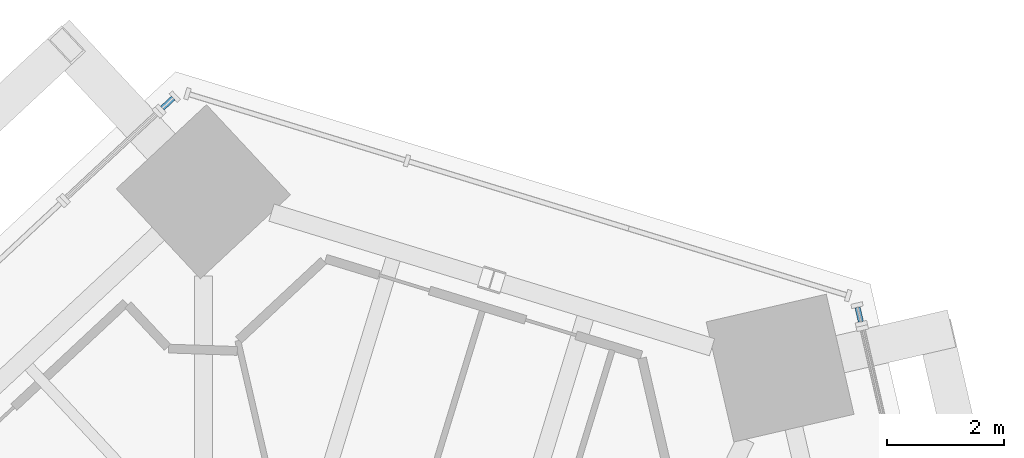
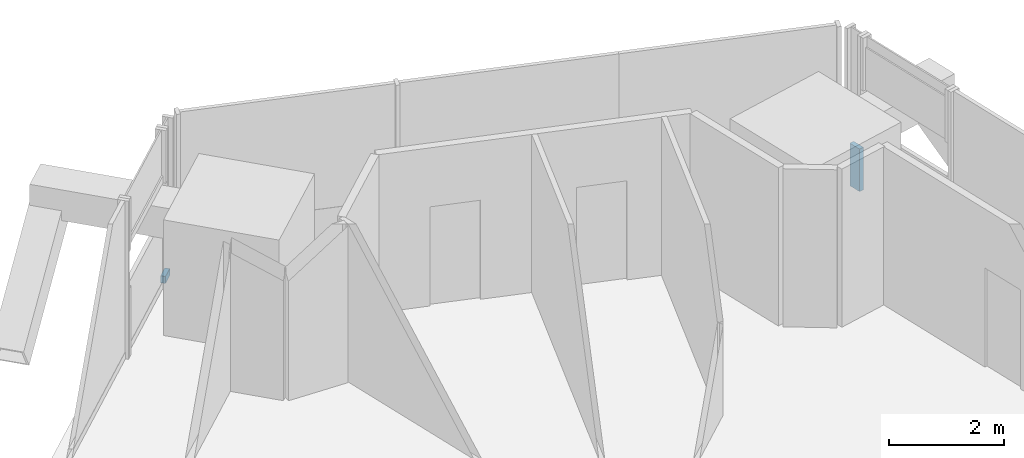
# One storey, part 12 of 25: 2 members, 2 elements without a shape of their own.
"""IFC4 building model written with IfcOpenShell, lengths in metres."""

from ifc_helpers import new_model, si_unit, direction, frame, origin, origin_2d, place, context, subcontext, project, spatial, rectangle, extrude, source, transform, mapped, material, material_profile, profile_set, type_object, element, aggregate, save


model = new_model("IFC4")

# Units and contexts
model_context = context("Model", 3, precision=1e-05, world=origin(), true_north=direction((0.0, 1.0)))
body_context = subcontext(model_context, "Body", "Model", "MODEL_VIEW")
ifc_project = project(units=[si_unit("LENGTHUNIT", "METRE"), si_unit("AREAUNIT", "SQUARE_METRE"), si_unit("VOLUMEUNIT", "CUBIC_METRE"), si_unit("PLANEANGLEUNIT", "RADIAN"), si_unit("MASSUNIT", "GRAM", prefix="KILO")], contexts=[model_context])

# Site, building, storey
site_placement = place(None, origin())
site = spatial("IfcSite", under=ifc_project, at=site_placement, CompositionType="ELEMENT")
building_placement = place(site_placement, origin())
building = spatial("IfcBuilding", under=site, at=building_placement, Name="Triune Harvest Tower", CompositionType="ELEMENT")
storey_placement = place(building_placement, frame((0.0, 0.0, 130.699951171875)))
storey = spatial("IfcBuildingStorey", under=building, at=storey_placement, Name="L33", CompositionType="ELEMENT", Elevation=130.699951171875)

# Curtain wall, member
ifc_material_1 = material(Name="Aluminium bronze anodised", Category="aluminium")
curtain_wall_type_1 = type_object("IfcCurtainWallType", Name="CW-6 Balcony window wall", PredefinedType="NOTDEFINED", material=ifc_material_1)
curtain_wall_1_placement = place(storey_placement, origin())
curtain_wall_1 = element("IfcCurtainWall", 1, at=curtain_wall_1_placement, inside=storey, type_object=curtain_wall_type_1, Name="CW-6 B3-F3 L33 run 1")
ifc_material_2 = material(Name="Aluminium bronze anodised", Category="aluminium")
ifc_material_profile_1 = material_profile(ifc_material_2, rectangle(XDim=0.090087890625, YDim=0.14990234375, at=origin_2d()), Name="TR-6 transom 90 x 150")
ifc_profile_set_1 = profile_set([ifc_material_profile_1], Name="Aluminium bronze anodised")
member_type_1 = type_object("IfcMemberType", Name="TR-6 transom 90 x 150", PredefinedType="USERDEFINED", material=ifc_profile_set_1)
member_1_placement = place(storey_placement, frame((3.9619140625, 33.808837890625, 0.074951171875), z_axis=(-0.731410005797, -0.681937976227, 0.0), x_axis=(0.681937976227, -0.731410005797, 0.0)))
member_1 = element("IfcMember", 2, at=member_1_placement, type_object=member_type_1, Name="CW-6 transom B3-F3 1.1", ObjectType="TRANSOM", PredefinedType="USERDEFINED", context=body_context, shape_type="SweptSolid", body=[
    extrude(rectangle(XDim=0.090087890625, YDim=0.14990234375, at=origin_2d()), origin(), (0.0, 0.0, 1.0), 0.251708984375),
])
aggregate(curtain_wall_1, [member_1])

ifc_material_3 = material(Name="Aluminium bronze anodised", Category="aluminium")
curtain_wall_type_2 = type_object("IfcCurtainWallType", Name="CW-1 Tower stick curtain wall", PredefinedType="NOTDEFINED", material=ifc_material_3)
curtain_wall_2_placement = place(storey_placement, origin())
curtain_wall_2 = element("IfcCurtainWall", 3, at=curtain_wall_2_placement, inside=storey, type_object=curtain_wall_type_2, Name="CW-1 B3-F1 L33 run 501")
ifc_material_4 = material(Name="Aluminium bronze anodised", Category="aluminium")
ifc_material_profile_2 = material_profile(ifc_material_4, rectangle(XDim=0.090087890625, YDim=0.89990234375, at=origin_2d()), Name="TR-1 transom 90 x 900")
ifc_profile_set_2 = profile_set([ifc_material_profile_2], Name="Aluminium bronze anodised")
member_type_2 = type_object("IfcMemberType", Name="TR-1 transom 90 x 900", PredefinedType="USERDEFINED", material=ifc_profile_set_2)
shared_shape = source(origin(), body_context, "Body", "SweptSolid", [
    extrude(rectangle(XDim=0.090087890625, YDim=0.89990234375, at=origin_2d()), origin(), (0.0, 0.0, 1.0), 0.25146484375),
])
member_2_placement = place(storey_placement, frame((15.677734375, 29.9990234375, 0.449951171875), z_axis=(-0.225142997663, 0.974325731264, 0.0), x_axis=(-0.974325731264, -0.225142997663, 0.0)))
member_2 = element("IfcMember", 4, at=member_2_placement, type_object=member_type_2, Name="CW-1 transom B3-F1 501.1", ObjectType="TRANSOM", PredefinedType="USERDEFINED", context=body_context, shape_type="MappedRepresentation", body=[
    mapped(shared_shape, transform((0.0, 0.0, 0.0), scale=1.0)),
])
aggregate(curtain_wall_2, [member_2])

save(model, "model.ifc")
